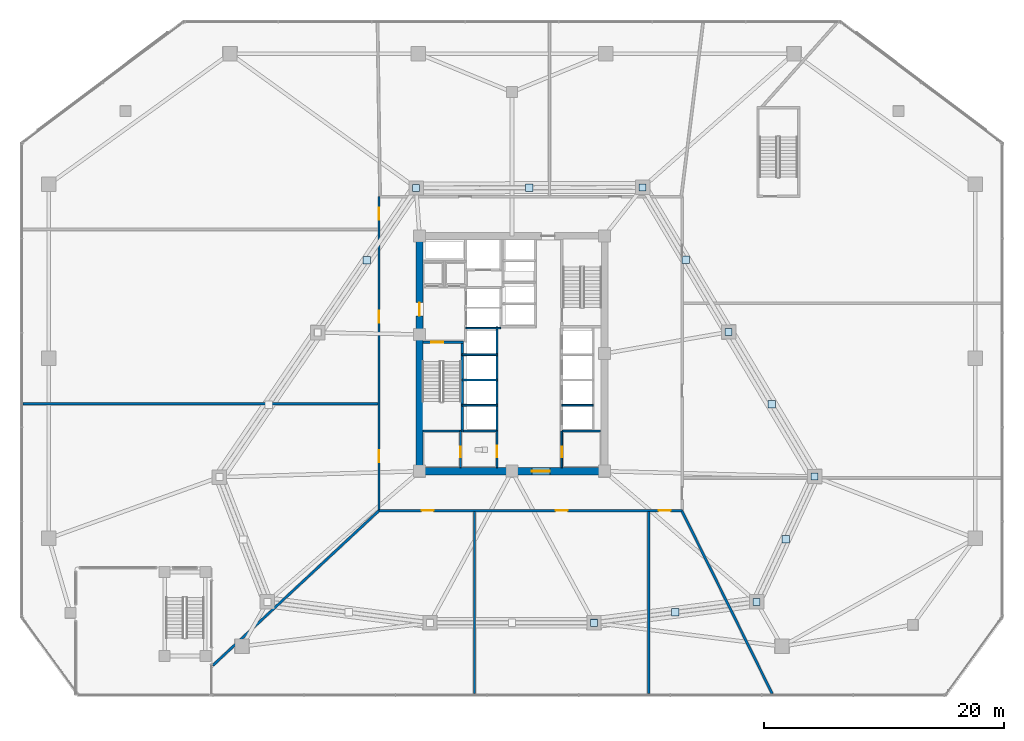
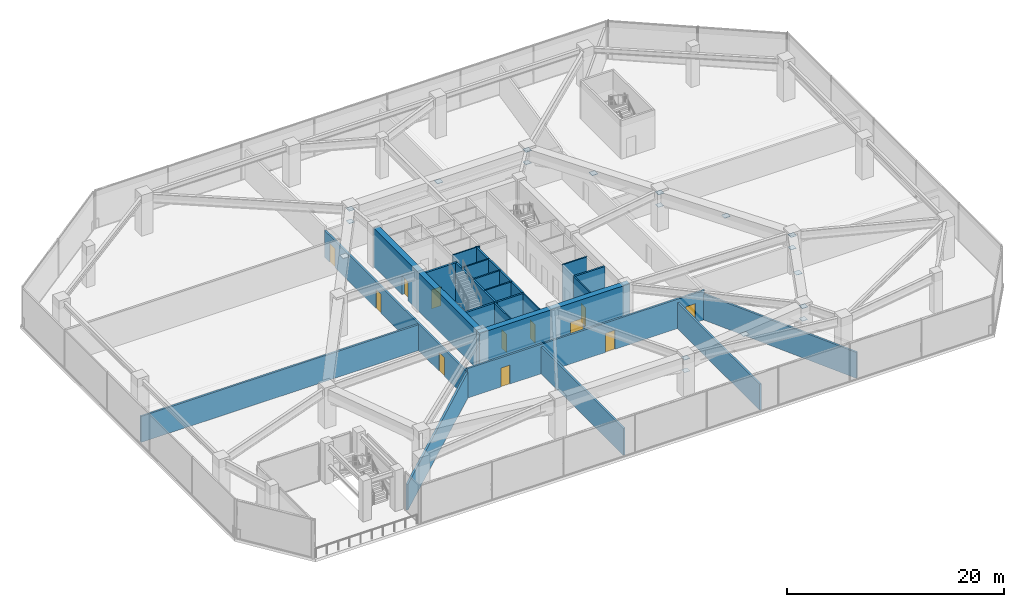
# One storey, part 14 of 23: 23 walls, 18 plates, 12 doors, 12 openings.
"""IFC4 building model written with IfcOpenShell, lengths in metres."""

from ifc_helpers import new_model, si_unit, direction, frame, frame_2d, origin, origin_2d, place, context, subcontext, project, spatial, rectangle, extrude, material, layer, layer_set, type_object, element, fill, save


model = new_model("IFC4")

# Units and contexts
model_context = context("Model", 3, precision=1e-05, world=origin(), true_north=direction((0.0, 1.0)))
body_context = subcontext(model_context, "Body", "Model", "MODEL_VIEW")
ifc_project = project(units=[si_unit("LENGTHUNIT", "METRE"), si_unit("AREAUNIT", "SQUARE_METRE"), si_unit("VOLUMEUNIT", "CUBIC_METRE"), si_unit("PLANEANGLEUNIT", "RADIAN"), si_unit("MASSUNIT", "GRAM", prefix="KILO")], contexts=[model_context])

# Site, building, storey
site_placement = place(None, origin())
site = spatial("IfcSite", under=ifc_project, at=site_placement, CompositionType="ELEMENT")
building_placement = place(site_placement, origin())
building = spatial("IfcBuilding", under=site, at=building_placement, Name="Savorim Split Tower", CompositionType="ELEMENT")
storey_placement = place(building_placement, frame((0.0, 0.0, 21.800048828125)))
storey = spatial("IfcBuildingStorey", under=building, at=storey_placement, Name="L05", CompositionType="ELEMENT", Elevation=21.800048828125)

# Plates
ifc_material_1 = material(Name="Steel S460", Category="steel")
ifc_layer_1 = layer(ifc_material_1, 0.028076171875)
ifc_layer_set_1 = layer_set([ifc_layer_1], Name="PLT-NODE-BN1")
plate_type_1 = type_object("IfcPlateType", Name="PLT-NODE-BN1", PredefinedType="SHEET", material=ifc_layer_set_1)
plate_1_placement = place(storey_placement, frame((6.831787109375, -22.03173828125, 2.4638671875), z_axis=(0.0, 0.0, 1.0), x_axis=(1.0, 0.0, 0.0)))
element("IfcPlate", 1, at=plate_1_placement, inside=storey, type_object=plate_type_1, Name="L05 Belt Truss Base Gusset Plate 3", PredefinedType="SHEET", context=body_context, shape_type="SweptSolid", body=[
    extrude(rectangle(XDim=0.580078125, YDim=0.580078125, at=origin_2d()), origin(), (0.0, 0.0, 1.0), 0.031982421875),
])
plate_2_placement = place(storey_placement, frame((13.60791015625, -21.161865234375, 3.65234375), z_axis=(0.0, 0.0, 1.0), x_axis=(1.0, 0.0, 0.0)))
element("IfcPlate", 2, at=plate_2_placement, inside=storey, type_object=plate_type_1, Name="L05 Belt Truss Apex Gusset Plate 3", PredefinedType="SHEET", context=body_context, shape_type="SweptSolid", body=[
    extrude(rectangle(XDim=0.6201171875, YDim=0.6201171875, at=origin_2d()), origin(), (0.0, 0.0, 1.0), 0.034912109375),
])
plate_3_placement = place(storey_placement, frame((20.384033203125, -20.291748046875, 2.4638671875), z_axis=(0.0, 0.0, 1.0), x_axis=(1.0, 0.0, 0.0)))
element("IfcPlate", 3, at=plate_3_placement, inside=storey, type_object=plate_type_1, Name="L05 Belt Truss Base Gusset Plate 4", PredefinedType="SHEET", context=body_context, shape_type="SweptSolid", body=[
    extrude(rectangle(XDim=0.580078125, YDim=0.580078125, at=origin_2d()), origin(), (0.0, 0.0, 1.0), 0.031982421875),
])
plate_4_placement = place(storey_placement, frame((22.798828125, -15.068603515625, 3.65234375), z_axis=(0.0, 0.0, 1.0), x_axis=(1.0, 0.0, 0.0)))
element("IfcPlate", 4, at=plate_4_placement, inside=storey, type_object=plate_type_1, Name="L05 Belt Truss Apex Gusset Plate 4", PredefinedType="SHEET", context=body_context, shape_type="SweptSolid", body=[
    extrude(rectangle(XDim=0.6201171875, YDim=0.6201171875, at=origin_2d()), origin(), (0.0, 0.0, 1.0), 0.034912109375),
])
plate_5_placement = place(storey_placement, frame((25.21337890625, -9.845458984375, 2.4638671875), z_axis=(0.0, 0.0, 1.0), x_axis=(1.0, 0.0, 0.0)))
element("IfcPlate", 5, at=plate_5_placement, inside=storey, type_object=plate_type_1, Name="L05 Belt Truss Base Gusset Plate 5", PredefinedType="SHEET", context=body_context, shape_type="SweptSolid", body=[
    extrude(rectangle(XDim=0.580078125, YDim=0.580078125, at=origin_2d()), origin(), (0.0, 0.0, 1.0), 0.031982421875),
])
plate_6_placement = place(storey_placement, frame((21.631591796875, -3.821533203125, 3.65234375), z_axis=(0.0, 0.0, 1.0), x_axis=(1.0, 0.0, 0.0)))
element("IfcPlate", 6, at=plate_6_placement, inside=storey, type_object=plate_type_1, Name="L05 Belt Truss Apex Gusset Plate 5", PredefinedType="SHEET", context=body_context, shape_type="SweptSolid", body=[
    extrude(rectangle(XDim=0.6201171875, YDim=0.6201171875, at=origin_2d()), origin(), (0.0, 0.0, 1.0), 0.034912109375),
])
plate_7_placement = place(storey_placement, frame((18.049560546875, 2.202392578125, 2.4638671875), z_axis=(0.0, 0.0, 1.0), x_axis=(1.0, 0.0, 0.0)))
element("IfcPlate", 7, at=plate_7_placement, inside=storey, type_object=plate_type_1, Name="L05 Belt Truss Base Gusset Plate 6", PredefinedType="SHEET", context=body_context, shape_type="SweptSolid", body=[
    extrude(rectangle(XDim=0.580078125, YDim=0.580078125, at=origin_2d()), origin(), (0.0, 0.0, 1.0), 0.031982421875),
])
plate_8_placement = place(storey_placement, frame((14.467529296875, 8.2265625, 3.65234375), z_axis=(0.0, 0.0, 1.0), x_axis=(1.0, 0.0, 0.0)))
element("IfcPlate", 8, at=plate_8_placement, inside=storey, type_object=plate_type_1, Name="L05 Belt Truss Apex Gusset Plate 6", PredefinedType="SHEET", context=body_context, shape_type="SweptSolid", body=[
    extrude(rectangle(XDim=0.6201171875, YDim=0.6201171875, at=origin_2d()), origin(), (0.0, 0.0, 1.0), 0.034912109375),
])
plate_9_placement = place(storey_placement, frame((10.885498046875, 14.25048828125, 2.4638671875), z_axis=(0.0, 0.0, 1.0), x_axis=(1.0, 0.0, 0.0)))
element("IfcPlate", 9, at=plate_9_placement, inside=storey, type_object=plate_type_1, Name="L05 Belt Truss Base Gusset Plate 7", PredefinedType="SHEET", context=body_context, shape_type="SweptSolid", body=[
    extrude(rectangle(XDim=0.580078125, YDim=0.580078125, at=origin_2d()), origin(), (0.0, 0.0, 1.0), 0.031982421875),
])
plate_10_placement = place(storey_placement, frame((1.446533203125, 14.22607421875, 3.65234375), z_axis=(0.0, 0.0, 1.0), x_axis=(1.0, 0.0, 0.0)))
element("IfcPlate", 10, at=plate_10_placement, inside=storey, type_object=plate_type_1, Name="L05 Belt Truss Apex Gusset Plate 7", PredefinedType="SHEET", context=body_context, shape_type="SweptSolid", body=[
    extrude(rectangle(XDim=0.6201171875, YDim=0.6201171875, at=origin_2d()), origin(), (0.0, 0.0, 1.0), 0.034912109375),
])
plate_11_placement = place(storey_placement, frame((-7.992431640625, 14.20166015625, 2.4638671875), z_axis=(0.0, 0.0, 1.0), x_axis=(1.0, 0.0, 0.0)))
element("IfcPlate", 11, at=plate_11_placement, inside=storey, type_object=plate_type_1, Name="L05 Belt Truss Base Gusset Plate 8", PredefinedType="SHEET", context=body_context, shape_type="SweptSolid", body=[
    extrude(rectangle(XDim=0.580078125, YDim=0.580078125, at=origin_2d()), origin(), (0.0, 0.0, 1.0), 0.031982421875),
])
plate_12_placement = place(storey_placement, frame((-12.090576171875, 8.177734375, 3.65234375), z_axis=(0.0, 0.0, 1.0), x_axis=(1.0, 0.0, 0.0)))
element("IfcPlate", 12, at=plate_12_placement, inside=storey, type_object=plate_type_1, Name="L05 Belt Truss Apex Gusset Plate 8", PredefinedType="SHEET", context=body_context, shape_type="SweptSolid", body=[
    extrude(rectangle(XDim=0.6201171875, YDim=0.6201171875, at=origin_2d()), origin(), (0.0, 0.0, 1.0), 0.034912109375),
])
ifc_layer_2 = layer(ifc_material_1, 0.034912109375)
ifc_layer_set_2 = layer_set([ifc_layer_2], Name="PLT-NODE-KN1")
plate_type_2 = type_object("IfcPlateType", Name="PLT-NODE-KN1", PredefinedType="SHEET", material=ifc_layer_set_2)
for number, where, z_axis, x_axis, name in (
    (13, (6.831787109375, -22.03173828125, 3.88232421875), (0.0, 0.0, 1.0), (1.0, 0.0, 0.0), "L05 Transfer Node Plate KN1-03"),
    (14, (20.384033203125, -20.291748046875, 3.88232421875), (0.0, 0.0, 1.0), (1.0, 0.0, 0.0), "L05 Transfer Node Plate KN1-04"),
    (15, (25.21337890625, -9.845458984375, 3.88232421875), (0.0, 0.0, 1.0), (1.0, 0.0, 0.0), "L05 Transfer Node Plate KN1-05"),
    (16, (18.049560546875, 2.202392578125, 3.88232421875), (0.0, 0.0, 1.0), (1.0, 0.0, 0.0), "L05 Transfer Node Plate KN1-06"),
    (17, (10.885498046875, 14.25048828125, 3.88232421875), (0.0, 0.0, 1.0), (1.0, 0.0, 0.0), "L05 Transfer Node Plate KN1-07"),
    (18, (-7.992431640625, 14.20166015625, 3.88232421875), (0.0, 0.0, 1.0), (1.0, 0.0, 0.0), "L05 Transfer Node Plate KN1-08"),
):
    element("IfcPlate", number, at=place(storey_placement, frame(where, z_axis=z_axis, x_axis=x_axis)), inside=storey, type_object=plate_type_2, Name=name, PredefinedType="SHEET", context=body_context, shape_type="SweptSolid", body=[
        extrude(rectangle(XDim=0.60009765625, YDim=0.60009765625, at=origin_2d()), origin(), (0.0, 0.0, 1.0), 0.034912109375),
    ])

# Wall, opening, door
ifc_material_2 = material(Name="Concrete C60/75", Category="concrete")
ifc_layer_3 = layer(ifc_material_2, 0.60009765625)
ifc_layer_set_3 = layer_set([ifc_layer_3], Name="WAL-COR-SH600")
wall_type_1 = type_object("IfcWallType", Name="WAL-COR-SH600", PredefinedType="SHEAR", material=ifc_layer_set_3)
wall_1_placement = place(storey_placement, frame((-8.0, -9.39990234375, 0.0), z_axis=(0.0, 0.0, 1.0), x_axis=(1.0, 0.0, 0.0)))
wall_1 = element("IfcWall", 19, at=wall_1_placement, inside=storey, type_object=wall_type_1, Name="L05 Offset Core South Shear Wall", PredefinedType="SHEAR", context=body_context, shape_type="SweptSolid", body=[
    extrude(rectangle(XDim=16.0, YDim=0.60009765625, at=frame_2d((8.0, 0.0))), origin(), (0.0, 0.0, 1.0), 4.349853515625),
])
opening_1_placement = place(wall_1_placement, frame((9.64990234375, 0.0, 0.0)))
opening_1 = element("IfcOpeningElement", 20, at=opening_1_placement, cuts=wall_1, Name="Opening DI-02", PredefinedType="OPENING", context=body_context, shape_type="SweptSolid", body=[
    extrude(rectangle(XDim=1.5, YDim=2.199951171875, at=frame_2d((0.75, 1.10009765625))), frame((0.0, 0.31005859375, 0.0), z_axis=(0.0, -1.0, 0.0), x_axis=(1.0, 0.0, 0.0)), (0.0, 0.0, 1.0), 0.6201171875),
])
ifc_material_3 = material(Name="Timber Fire Door Leaf", Category="wood")
door_type_1 = type_object("IfcDoorType", Name="DOR-DBL-1500", OperationType="NOTDEFINED", PredefinedType="DOOR", material=ifc_material_3)
door_1_placement = place(opening_1_placement, origin())
door_1 = element("IfcDoor", 21, at=door_1_placement, inside=storey, type_object=door_type_1, Name="DOR-L05-COR-LLOB - L05 Lift Lobby Main Rated Door", OperationType="DOUBLE_DOOR_SINGLE_SWING", OverallHeight=2.199951171875, OverallWidth=1.5, PredefinedType="DOOR", context=body_context, shape_type="SweptSolid", body=[
    extrude(rectangle(XDim=1.5, YDim=2.199951171875, at=frame_2d((0.75, 1.10009765625))), frame((0.0, 0.02490234375, 0.0), z_axis=(0.0, -1.0, 0.0), x_axis=(1.0, 0.0, 0.0)), (0.0, 0.0, 1.0), 0.050048828125),
])
fill(opening_1, door_1)

wall_2_placement = place(storey_placement, frame((-7.699951171875, -9.10009765625, 0.0), z_axis=(0.0, 0.0, 1.0), x_axis=(0.0, 1.0, 0.0)))
wall_2 = element("IfcWall", 22, at=wall_2_placement, inside=storey, type_object=wall_type_1, Name="L05 Offset Core West Shear Wall", PredefinedType="SHEAR", context=body_context, shape_type="SweptSolid", body=[
    extrude(rectangle(XDim=19.0, YDim=0.60009765625, at=frame_2d((9.5, 0.0))), origin(), (0.0, 0.0, 1.0), 4.349853515625),
])
opening_2_placement = place(wall_2_placement, frame((12.64990234375, 0.0, 0.0)))
opening_2 = element("IfcOpeningElement", 23, at=opening_2_placement, cuts=wall_2, Name="Opening DI-03", PredefinedType="OPENING", context=body_context, shape_type="SweptSolid", body=[
    extrude(rectangle(XDim=1.10009765625, YDim=2.14990234375, at=frame_2d((0.550048828125, 1.074951171875))), frame((0.0, 0.31005859375, 0.0), z_axis=(0.0, -1.0, 0.0), x_axis=(1.0, 0.0, 0.0)), (0.0, 0.0, 1.0), 0.6201171875),
])
door_type_2 = type_object("IfcDoorType", Name="DOR-FIR-1100", OperationType="NOTDEFINED", PredefinedType="DOOR", material=ifc_material_3)
door_2_placement = place(opening_2_placement, origin())
door_2 = element("IfcDoor", 24, at=door_2_placement, inside=storey, type_object=door_type_2, Name="DOR-L05-COR-FFLOB - L05 Firefighting Lobby Corridor Door", OperationType="SINGLE_SWING_LEFT", OverallHeight=2.14990234375, OverallWidth=1.10009765625, PredefinedType="DOOR", context=body_context, shape_type="SweptSolid", body=[
    extrude(rectangle(XDim=1.10009765625, YDim=2.14990234375, at=frame_2d((0.550048828125, 1.074951171875))), frame((0.0, 0.02490234375, 0.0), z_axis=(0.0, -1.0, 0.0), x_axis=(1.0, 0.0, 0.0)), (0.0, 0.0, 1.0), 0.050048828125),
])
fill(opening_2, door_2)

ifc_material_4 = material(Name="Concrete C50/60", Category="concrete")
ifc_layer_4 = layer(ifc_material_4, 0.199951171875)
ifc_layer_set_4 = layer_set([ifc_layer_4], Name="WAL-INT-RC200")
wall_type_2 = type_object("IfcWallType", Name="WAL-INT-RC200", PredefinedType="SOLIDWALL", material=ifc_layer_set_4)
wall_3_placement = place(storey_placement, frame((-7.39990234375, 1.35009765625, 0.0), z_axis=(0.0, 0.0, 1.0), x_axis=(1.0, 0.0, 0.0)))
wall_3 = element("IfcWall", 25, at=wall_3_placement, inside=storey, type_object=wall_type_2, Name="L05 Structural Shaft Wall W-L05-CR01", PredefinedType="SOLIDWALL", context=body_context, shape_type="SweptSolid", body=[
    extrude(rectangle(XDim=3.349853515625, YDim=0.199951171875, at=frame_2d((1.6748046875, 0.0))), origin(), (0.0, 0.0, 1.0), 4.349853515625),
])
opening_3_placement = place(wall_3_placement, frame((0.64990234375, 0.0, 0.0)))
opening_3 = element("IfcOpeningElement", 26, at=opening_3_placement, cuts=wall_3, Name="Opening DI-04", PredefinedType="OPENING", context=body_context, shape_type="SweptSolid", body=[
    extrude(rectangle(XDim=1.0, YDim=2.14990234375, at=frame_2d((0.5, 1.074951171875))), frame((0.0, 0.10986328125, 0.0), z_axis=(0.0, -1.0, 0.0), x_axis=(1.0, 0.0, 0.0)), (0.0, 0.0, 1.0), 0.219970703125),
])
door_type_3 = type_object("IfcDoorType", Name="DOR-FIR-1000", OperationType="NOTDEFINED", PredefinedType="DOOR", material=ifc_material_3)
door_3_placement = place(opening_3_placement, origin())
door_3 = element("IfcDoor", 27, at=door_3_placement, inside=storey, type_object=door_type_3, Name="DR-L05-ST1 - L05 Stair ST-1 Enclosure Door", OperationType="SINGLE_SWING_LEFT", OverallHeight=2.14990234375, OverallWidth=1.0, PredefinedType="DOOR", context=body_context, shape_type="SweptSolid", body=[
    extrude(rectangle(XDim=1.0, YDim=2.14990234375, at=frame_2d((0.5, 1.074951171875))), frame((0.0, 0.02490234375, 0.0), z_axis=(0.0, -1.0, 0.0), x_axis=(1.0, 0.0, 0.0)), (0.0, 0.0, 1.0), 0.050048828125),
])
fill(opening_3, door_3)

# Walls
wall_4_placement = place(storey_placement, frame((-4.14990234375, -5.949951171875, 0.0), z_axis=(0.0, 0.0, 1.0), x_axis=(0.0, 1.0, 0.0)))
element("IfcWall", 28, at=wall_4_placement, inside=storey, type_object=wall_type_2, Name="L05 Structural Shaft Wall W-L05-CR02", PredefinedType="SOLIDWALL", context=body_context, shape_type="SweptSolid", body=[
    extrude(rectangle(XDim=7.199951171875, YDim=0.199951171875, at=frame_2d((3.60009765625, 0.0))), origin(), (0.0, 0.0, 1.0), 4.349853515625),
])
wall_5_placement = place(storey_placement, frame((-1.25, -6.050048828125, 0.0), z_axis=(0.0, 0.0, 1.0), x_axis=(0.0, 1.0, 0.0)))
element("IfcWall", 29, at=wall_5_placement, inside=storey, type_object=wall_type_2, Name="L05 Partition W-L05-B2FRONT", PredefinedType="SOLIDWALL", context=body_context, shape_type="SweptSolid", body=[
    extrude(rectangle(XDim=8.699951171875, YDim=0.199951171875, at=frame_2d((4.35009765625, 0.0))), origin(), (0.0, 0.0, 1.0), 4.349853515625),
])
wall_6_placement = place(storey_placement, frame((-7.39990234375, -6.050048828125, 0.0), z_axis=(0.0, 0.0, 1.0), x_axis=(1.0, 0.0, 0.0)))
element("IfcWall", 30, at=wall_6_placement, inside=storey, type_object=wall_type_2, Name="L05 Structural Shaft Wall W-L05-KSEP-W", PredefinedType="SOLIDWALL", context=body_context, shape_type="SweptSolid", body=[
    extrude(rectangle(XDim=3.349853515625, YDim=0.199951171875, at=frame_2d((1.6748046875, 0.0))), origin(), (0.0, 0.0, 1.0), 4.349853515625),
])
wall_7_placement = place(storey_placement, frame((-4.0400390625, -6.050048828125, 0.0), z_axis=(0.0, 0.0, 1.0), x_axis=(1.0, 0.0, 0.0)))
element("IfcWall", 31, at=wall_7_placement, inside=storey, type_object=wall_type_2, Name="L05 Partition W-L05-KSEP-W2", PredefinedType="SOLIDWALL", context=body_context, shape_type="SweptSolid", body=[
    extrude(rectangle(XDim=2.7900390625, YDim=0.199951171875, at=frame_2d((1.39501953125, 0.0))), origin(), (0.0, 0.0, 1.0), 4.349853515625),
])
wall_8_placement = place(storey_placement, frame((4.14990234375, -6.050048828125, 0.0), z_axis=(0.0, 0.0, 1.0), x_axis=(1.0, 0.0, 0.0)))
element("IfcWall", 32, at=wall_8_placement, inside=storey, type_object=wall_type_2, Name="L05 Partition W-L05-KSEP-E", PredefinedType="SOLIDWALL", context=body_context, shape_type="SweptSolid", body=[
    extrude(rectangle(XDim=3.2451171875, YDim=0.199951171875, at=frame_2d((1.62255859375, 0.0))), origin(), (0.0, 0.0, 1.0), 4.349853515625),
])

# Wall, openings, doors
wall_9_placement = place(storey_placement, frame((-11.10009765625, -12.679931640625, 0.0), z_axis=(0.0, 0.0, 1.0), x_axis=(1.0, 0.0, 0.0)))
wall_9 = element("IfcWall", 33, at=wall_9_placement, inside=storey, type_object=wall_type_2, Name="L05 Partition W-L05-COR-S1", PredefinedType="SOLIDWALL", context=body_context, shape_type="SweptSolid", body=[
    extrude(rectangle(XDim=25.300048828125, YDim=0.199951171875, at=frame_2d((12.64990234375, 0.0))), origin(), (0.0, 0.0, 1.0), 3.31689453125),
])
opening_4_placement = place(wall_9_placement, frame((3.56298828125, 0.0, 0.0)))
opening_4 = element("IfcOpeningElement", 34, at=opening_4_placement, cuts=wall_9, Name="Opening DI-04", PredefinedType="OPENING", context=body_context, shape_type="SweptSolid", body=[
    extrude(rectangle(XDim=1.0, YDim=2.14990234375, at=frame_2d((0.5, 1.074951171875))), frame((0.0, 0.10986328125, 0.0), z_axis=(0.0, -1.0, 0.0), x_axis=(1.0, 0.0, 0.0)), (0.0, 0.0, 1.0), 0.219970703125),
])
opening_5_placement = place(wall_9_placement, frame((14.729248046875, 0.0, 0.0)))
opening_5 = element("IfcOpeningElement", 35, at=opening_5_placement, cuts=wall_9, Name="Opening DI-04", PredefinedType="OPENING", context=body_context, shape_type="SweptSolid", body=[
    extrude(rectangle(XDim=1.0, YDim=2.14990234375, at=frame_2d((0.5, 1.074951171875))), frame((0.0, 0.10986328125, 0.0), z_axis=(0.0, -1.0, 0.0), x_axis=(1.0, 0.0, 0.0)), (0.0, 0.0, 1.0), 0.219970703125),
])
opening_6_placement = place(wall_9_placement, frame((23.31640625, 0.0, 0.0)))
opening_6 = element("IfcOpeningElement", 36, at=opening_6_placement, cuts=wall_9, Name="Opening DI-04", PredefinedType="OPENING", context=body_context, shape_type="SweptSolid", body=[
    extrude(rectangle(XDim=1.0, YDim=2.14990234375, at=frame_2d((0.5, 1.074951171875))), frame((0.0, 0.10986328125, 0.0), z_axis=(0.0, -1.0, 0.0), x_axis=(1.0, 0.0, 0.0)), (0.0, 0.0, 1.0), 0.219970703125),
])
door_4_placement = place(opening_4_placement, origin())
door_4 = element("IfcDoor", 37, at=door_4_placement, inside=storey, type_object=door_type_3, Name="DR-L05-RM02 - L05 Chiller Plant Room 1 Entry Door", OperationType="SINGLE_SWING_LEFT", OverallHeight=2.14990234375, OverallWidth=1.0, PredefinedType="DOOR", context=body_context, shape_type="SweptSolid", body=[
    extrude(rectangle(XDim=1.0, YDim=2.14990234375, at=frame_2d((0.5, 1.074951171875))), frame((0.0, 0.02490234375, 0.0), z_axis=(0.0, -1.0, 0.0), x_axis=(1.0, 0.0, 0.0)), (0.0, 0.0, 1.0), 0.050048828125),
])
fill(opening_4, door_4)
door_5_placement = place(opening_5_placement, origin())
door_5 = element("IfcDoor", 38, at=door_5_placement, inside=storey, type_object=door_type_3, Name="DR-L05-RM03 - L05 Booster Pump Plant Room 1 Entry Door", OperationType="SINGLE_SWING_RIGHT", OverallHeight=2.14990234375, OverallWidth=1.0, PredefinedType="DOOR", context=body_context, shape_type="SweptSolid", body=[
    extrude(rectangle(XDim=1.0, YDim=2.14990234375, at=frame_2d((0.5, 1.074951171875))), frame((0.0, 0.02490234375, 0.0), z_axis=(0.0, -1.0, 0.0), x_axis=(1.0, 0.0, 0.0)), (0.0, 0.0, 1.0), 0.050048828125),
])
fill(opening_5, door_5)
door_6_placement = place(opening_6_placement, origin())
door_6 = element("IfcDoor", 39, at=door_6_placement, inside=storey, type_object=door_type_3, Name="DR-L05-RM04 - L05 Heat Exchanger Plant Room Entry Door", OperationType="SINGLE_SWING_LEFT", OverallHeight=2.14990234375, OverallWidth=1.0, PredefinedType="DOOR", context=body_context, shape_type="SweptSolid", body=[
    extrude(rectangle(XDim=1.0, YDim=2.14990234375, at=frame_2d((0.5, 1.074951171875))), frame((0.0, 0.02490234375, 0.0), z_axis=(0.0, -1.0, 0.0), x_axis=(1.0, 0.0, 0.0)), (0.0, 0.0, 1.0), 0.050048828125),
])
fill(opening_6, door_6)

wall_10_placement = place(storey_placement, frame((-11.080078125, -12.679931640625, 0.0), z_axis=(0.0, 0.0, 1.0), x_axis=(0.0, 1.0, 0.0)))
wall_10 = element("IfcWall", 40, at=wall_10_placement, inside=storey, type_object=wall_type_2, Name="L05 Partition W-L05-COR-W1", PredefinedType="SOLIDWALL", context=body_context, shape_type="SweptSolid", body=[
    extrude(rectangle(XDim=26.159912109375, YDim=0.199951171875, at=frame_2d((13.080078125, 0.0))), origin(), (0.0, 0.0, 1.0), 3.02490234375),
])
opening_7_placement = place(wall_10_placement, frame((4.020263671875, 0.0, 0.0)))
opening_7 = element("IfcOpeningElement", 41, at=opening_7_placement, cuts=wall_10, Name="Opening DI-04", PredefinedType="OPENING", context=body_context, shape_type="SweptSolid", body=[
    extrude(rectangle(XDim=1.0, YDim=2.14990234375, at=frame_2d((0.5, 1.074951171875))), frame((0.0, 0.10986328125, 0.0), z_axis=(0.0, -1.0, 0.0), x_axis=(1.0, 0.0, 0.0)), (0.0, 0.0, 1.0), 0.219970703125),
])
opening_8_placement = place(wall_10_placement, frame((24.2197265625, 0.0, 0.0)))
opening_8 = element("IfcOpeningElement", 42, at=opening_8_placement, cuts=wall_10, Name="Opening DI-04", PredefinedType="OPENING", context=body_context, shape_type="SweptSolid", body=[
    extrude(rectangle(XDim=1.0, YDim=2.14990234375, at=frame_2d((0.5, 1.074951171875))), frame((0.0, 0.10986328125, 0.0), z_axis=(0.0, -1.0, 0.0), x_axis=(1.0, 0.0, 0.0)), (0.0, 0.0, 1.0), 0.219970703125),
])
opening_9_placement = place(wall_10_placement, frame((15.659912109375, 0.0, 0.0)))
opening_9 = element("IfcOpeningElement", 43, at=opening_9_placement, cuts=wall_10, Name="Opening DI-04", PredefinedType="OPENING", context=body_context, shape_type="SweptSolid", body=[
    extrude(rectangle(XDim=1.0, YDim=2.14990234375, at=frame_2d((0.5, 1.074951171875))), frame((0.0, 0.10986328125, 0.0), z_axis=(0.0, -1.0, 0.0), x_axis=(1.0, 0.0, 0.0)), (0.0, 0.0, 1.0), 0.219970703125),
])
door_7_placement = place(opening_7_placement, origin())
door_7 = element("IfcDoor", 44, at=door_7_placement, inside=storey, type_object=door_type_3, Name="DR-L05-RM01 - L05 AHU Mechanical Plant Room 1 Entry Door", OperationType="SINGLE_SWING_RIGHT", OverallHeight=2.14990234375, OverallWidth=1.0, PredefinedType="DOOR", context=body_context, shape_type="SweptSolid", body=[
    extrude(rectangle(XDim=1.0, YDim=2.14990234375, at=frame_2d((0.5, 1.074951171875))), frame((0.0, 0.02490234375, 0.0), z_axis=(0.0, -1.0, 0.0), x_axis=(1.0, 0.0, 0.0)), (0.0, 0.0, 1.0), 0.050048828125),
])
fill(opening_7, door_7)
door_8_placement = place(opening_8_placement, origin())
door_8 = element("IfcDoor", 45, at=door_8_placement, inside=storey, type_object=door_type_3, Name="DR-L05-RM10 - L05 BMS Mechanical Plant Room Entry Door", OperationType="SINGLE_SWING_LEFT", OverallHeight=2.14990234375, OverallWidth=1.0, PredefinedType="DOOR", context=body_context, shape_type="SweptSolid", body=[
    extrude(rectangle(XDim=1.0, YDim=2.14990234375, at=frame_2d((0.5, 1.074951171875))), frame((0.0, 0.02490234375, 0.0), z_axis=(0.0, -1.0, 0.0), x_axis=(1.0, 0.0, 0.0)), (0.0, 0.0, 1.0), 0.050048828125),
])
fill(opening_8, door_8)
door_9_placement = place(opening_9_placement, origin())
door_9 = element("IfcDoor", 46, at=door_9_placement, inside=storey, type_object=door_type_3, Name="DR-L05-RM11 - L05 Smoke Extract Fan Plant Room Entry Door", OperationType="SINGLE_SWING_RIGHT", OverallHeight=2.14990234375, OverallWidth=1.0, PredefinedType="DOOR", context=body_context, shape_type="SweptSolid", body=[
    extrude(rectangle(XDim=1.0, YDim=2.14990234375, at=frame_2d((0.5, 1.074951171875))), frame((0.0, 0.02490234375, 0.0), z_axis=(0.0, -1.0, 0.0), x_axis=(1.0, 0.0, 0.0)), (0.0, 0.0, 1.0), 0.050048828125),
])
fill(opening_9, door_9)

# Walls
wall_11_placement = place(storey_placement, frame((-11.139892578125, -3.79296875, 0.0), z_axis=(0.0, 0.0, 1.0), x_axis=(-1.0, 0.0, 0.0)))
element("IfcWall", 47, at=wall_11_placement, inside=storey, type_object=wall_type_2, Name="L05 Partition W-L05-PLW01", PredefinedType="SOLIDWALL", context=body_context, shape_type="SweptSolid", body=[
    extrude(rectangle(XDim=29.590087890625, YDim=0.199951171875, at=frame_2d((14.794921875, 0.0))), origin(), (0.0, 0.0, 1.0), 2.925048828125),
])
wall_12_placement = place(storey_placement, frame((-11.098876953125, -12.69873046875, 0.0), z_axis=(0.0, 0.0, 1.0), x_axis=(-0.731636066653, -0.681695434906, 0.0)))
element("IfcWall", 48, at=wall_12_placement, inside=storey, type_object=wall_type_2, Name="L05 Partition W-L05-PLW03", PredefinedType="SOLIDWALL", context=body_context, shape_type="SweptSolid", body=[
    extrude(rectangle(XDim=18.904296875, YDim=0.199951171875, at=frame_2d((9.4521484375, 0.0))), origin(), (0.0, 0.0, 1.0), 2.925048828125),
])
wall_13_placement = place(storey_placement, frame((-3.12744140625, -12.739990234375, 0.0), z_axis=(0.0, 0.0, 1.0), x_axis=(0.0, -1.0, 0.0)))
element("IfcWall", 49, at=wall_13_placement, inside=storey, type_object=wall_type_2, Name="L05 Partition W-L05-PLW05", PredefinedType="SOLIDWALL", context=body_context, shape_type="SweptSolid", body=[
    extrude(rectangle(XDim=15.18994140625, YDim=0.199951171875, at=frame_2d((7.594970703125, 0.0))), origin(), (0.0, 0.0, 1.0), 3.02490234375),
])
wall_14_placement = place(storey_placement, frame((11.385986328125, -12.739990234375, 0.0), z_axis=(0.0, 0.0, 1.0), x_axis=(0.0, -1.0, 0.0)))
element("IfcWall", 50, at=wall_14_placement, inside=storey, type_object=wall_type_2, Name="L05 Partition W-L05-PLW06", PredefinedType="SOLIDWALL", context=body_context, shape_type="SweptSolid", body=[
    extrude(rectangle(XDim=15.18994140625, YDim=0.199951171875, at=frame_2d((7.594970703125, 0.0))), origin(), (0.0, 0.0, 1.0), 2.925048828125),
])
wall_15_placement = place(storey_placement, frame((14.166015625, -12.72314453125, 0.0), z_axis=(0.0, 0.0, 1.0), x_axis=(0.442919028599, -0.896561617573, 0.0)))
element("IfcWall", 51, at=wall_15_placement, inside=storey, type_object=wall_type_2, Name="L05 Partition W-L05-PLW07", PredefinedType="SOLIDWALL", context=body_context, shape_type="SweptSolid", body=[
    extrude(rectangle(XDim=16.961181640625, YDim=0.199951171875, at=frame_2d((8.48046875, 0.0))), origin(), (0.0, 0.0, 1.0), 2.925048828125),
])
ifc_material_5 = material(Name="Acoustic Gypsum Partition Board")
ifc_layer_5 = layer(ifc_material_5, 0.1201171875)
ifc_layer_set_5 = layer_set([ifc_layer_5], Name="WAL-PAR-120")
wall_type_3 = type_object("IfcWallType", Name="WAL-PAR-120", PredefinedType="PARTITIONING", material=ifc_layer_set_5)
wall_16_placement = place(storey_placement, frame((-3.85009765625, 2.52001953125, 0.0), z_axis=(0.0, 0.0, 1.0), x_axis=(1.0, 0.0, 0.0)))
element("IfcWall", 52, at=wall_16_placement, inside=storey, type_object=wall_type_3, Name="L05 Partition W-L05-FFLD0", PredefinedType="PARTITIONING", context=body_context, shape_type="SweptSolid", body=[
    extrude(rectangle(XDim=2.900146484375, YDim=0.1201171875, at=frame_2d((1.4501953125, 0.0))), origin(), (0.0, 0.0, 1.0), 4.349853515625),
])
ifc_layer_6 = layer(ifc_material_5, 0.14990234375)
ifc_layer_set_6 = layer_set([ifc_layer_6], Name="WAL-PAR-150")
wall_type_4 = type_object("IfcWallType", Name="WAL-PAR-150", PredefinedType="PARTITIONING", material=ifc_layer_set_6)
wall_17_placement = place(storey_placement, frame((4.14990234375, -3.89990234375, 0.0), z_axis=(0.0, 0.0, 1.0), x_axis=(1.0, 0.0, 0.0)))
element("IfcWall", 53, at=wall_17_placement, inside=storey, type_object=wall_type_4, Name="L05 Partition W-L05-B1DIV1", PredefinedType="PARTITIONING", context=body_context, shape_type="SweptSolid", body=[
    extrude(rectangle(XDim=2.60009765625, YDim=0.14990234375, at=frame_2d((1.300048828125, 0.0))), origin(), (0.0, 0.0, 1.0), 4.349853515625),
])
for number, where, z_axis, x_axis, name in (
    (54, (-4.14990234375, -3.89990234375, 0.0), (0.0, 0.0, 1.0), (1.0, 0.0, 0.0), "L05 Partition W-L05-B2DIV1"),
    (55, (-4.14990234375, -1.800048828125, 0.0), (0.0, 0.0, 1.0), (1.0, 0.0, 0.0), "L05 Partition W-L05-B2DIV2"),
    (56, (-4.14990234375, 0.300048828125, 0.0), (0.0, 0.0, 1.0), (1.0, 0.0, 0.0), "L05 Partition W-L05-B2DIV3"),
):
    element("IfcWall", number, at=place(storey_placement, frame(where, z_axis=z_axis, x_axis=x_axis)), inside=storey, type_object=wall_type_4, Name=name, PredefinedType="PARTITIONING", context=body_context, shape_type="SweptSolid", body=[
        extrude(rectangle(XDim=2.89990234375, YDim=0.14990234375, at=frame_2d((1.449951171875, 0.0))), origin(), (0.0, 0.0, 1.0), 4.349853515625),
    ])

# Wall, opening, door
wall_18_placement = place(storey_placement, frame((-1.25, -9.094970703125, 0.0), z_axis=(0.0, 0.0, 1.0), x_axis=(0.0, 1.0, 0.0)))
wall_18 = element("IfcWall", 57, at=wall_18_placement, inside=storey, type_object=wall_type_4, Name="L05 Partition W-L05-KLOB-W", PredefinedType="PARTITIONING", context=body_context, shape_type="SweptSolid", body=[
    extrude(rectangle(XDim=3.044921875, YDim=0.14990234375, at=frame_2d((1.5224609375, 0.0))), origin(), (0.0, 0.0, 1.0), 4.349853515625),
])
opening_10_placement = place(wall_18_placement, frame((0.844970703125, 0.0, 0.0)))
opening_10 = element("IfcOpeningElement", 58, at=opening_10_placement, cuts=wall_18, Name="Opening DI-10", PredefinedType="OPENING", context=body_context, shape_type="SweptSolid", body=[
    extrude(rectangle(XDim=0.949951171875, YDim=2.10009765625, at=frame_2d((0.47509765625, 1.050048828125))), frame((0.0, 0.0849609375, 0.0), z_axis=(0.0, -1.0, 0.0), x_axis=(1.0, 0.0, 0.0)), (0.0, 0.0, 1.0), 0.169921875),
])
ifc_material_6 = material(Name="Oak Veneer Acoustic Door")
door_type_4 = type_object("IfcDoorType", Name="DOR-WC-950", OperationType="NOTDEFINED", PredefinedType="DOOR", material=ifc_material_6)
door_10_placement = place(opening_10_placement, origin())
door_10 = element("IfcDoor", 59, at=door_10_placement, inside=storey, type_object=door_type_4, Name="DR-L05-K1WC - L05 Core Accessible WC Door", OperationType="SINGLE_SWING_LEFT", OverallHeight=2.10009765625, OverallWidth=0.949951171875, PredefinedType="DOOR", context=body_context, shape_type="SweptSolid", body=[
    extrude(rectangle(XDim=0.949951171875, YDim=2.10009765625, at=frame_2d((0.47509765625, 1.050048828125))), frame((0.0, 0.02490234375, 0.0), z_axis=(0.0, -1.0, 0.0), x_axis=(1.0, 0.0, 0.0)), (0.0, 0.0, 1.0), 0.050048828125),
])
fill(opening_10, door_10)

wall_19_placement = place(storey_placement, frame((4.14990234375, -9.094970703125, 0.0), z_axis=(0.0, 0.0, 1.0), x_axis=(0.0, 1.0, 0.0)))
wall_19 = element("IfcWall", 60, at=wall_19_placement, inside=storey, type_object=wall_type_4, Name="L05 Partition W-L05-KLOB-E", PredefinedType="PARTITIONING", context=body_context, shape_type="SweptSolid", body=[
    extrude(rectangle(XDim=3.044921875, YDim=0.14990234375, at=frame_2d((1.5224609375, 0.0))), origin(), (0.0, 0.0, 1.0), 4.349853515625),
])
opening_11_placement = place(wall_19_placement, frame((0.844970703125, 0.0, 0.0)))
opening_11 = element("IfcOpeningElement", 61, at=opening_11_placement, cuts=wall_19, Name="Opening DI-06", PredefinedType="OPENING", context=body_context, shape_type="SweptSolid", body=[
    extrude(rectangle(XDim=0.89990234375, YDim=2.10009765625, at=frame_2d((0.449951171875, 1.050048828125))), frame((0.0, 0.0849609375, 0.0), z_axis=(0.0, -1.0, 0.0), x_axis=(1.0, 0.0, 0.0)), (0.0, 0.0, 1.0), 0.169921875),
])
door_type_5 = type_object("IfcDoorType", Name="DOR-FIR-900", OperationType="NOTDEFINED", PredefinedType="DOOR", material=ifc_material_3)
door_11_placement = place(opening_11_placement, origin())
door_11 = element("IfcDoor", 62, at=door_11_placement, inside=storey, type_object=door_type_5, Name="DR-L05-K1IT - L05 Core IT Room Door", OperationType="SINGLE_SWING_LEFT", OverallHeight=2.10009765625, OverallWidth=0.89990234375, PredefinedType="DOOR", context=body_context, shape_type="SweptSolid", body=[
    extrude(rectangle(XDim=0.89990234375, YDim=2.10009765625, at=frame_2d((0.449951171875, 1.050048828125))), frame((0.0, 0.02490234375, 0.0), z_axis=(0.0, -1.0, 0.0), x_axis=(1.0, 0.0, 0.0)), (0.0, 0.0, 1.0), 0.050048828125),
])
fill(opening_11, door_11)

wall_20_placement = place(storey_placement, frame((-4.300048828125, -9.094970703125, 0.0), z_axis=(0.0, 0.0, 1.0), x_axis=(0.0, 1.0, 0.0)))
wall_20 = element("IfcWall", 63, at=wall_20_placement, inside=storey, type_object=wall_type_4, Name="L05 Partition W-L05-K1W", PredefinedType="PARTITIONING", context=body_context, shape_type="SweptSolid", body=[
    extrude(rectangle(XDim=3.044921875, YDim=0.14990234375, at=frame_2d((1.5224609375, 0.0))), origin(), (0.0, 0.0, 1.0), 4.349853515625),
])
opening_12_placement = place(wall_20_placement, frame((0.844970703125, 0.0, 0.0)))
opening_12 = element("IfcOpeningElement", 64, at=opening_12_placement, cuts=wall_20, Name="Opening DI-06", PredefinedType="OPENING", context=body_context, shape_type="SweptSolid", body=[
    extrude(rectangle(XDim=0.89990234375, YDim=2.10009765625, at=frame_2d((0.449951171875, 1.050048828125))), frame((0.0, 0.0849609375, 0.0), z_axis=(0.0, -1.0, 0.0), x_axis=(1.0, 0.0, 0.0)), (0.0, 0.0, 1.0), 0.169921875),
])
door_12_placement = place(opening_12_placement, origin())
door_12 = element("IfcDoor", 65, at=door_12_placement, inside=storey, type_object=door_type_5, Name="DR-L05-K1HK - L05 Housekeeping Store Door", OperationType="SINGLE_SWING_RIGHT", OverallHeight=2.10009765625, OverallWidth=0.89990234375, PredefinedType="DOOR", context=body_context, shape_type="SweptSolid", body=[
    extrude(rectangle(XDim=0.89990234375, YDim=2.10009765625, at=frame_2d((0.449951171875, 1.050048828125))), frame((0.0, 0.02490234375, 0.0), z_axis=(0.0, -1.0, 0.0), x_axis=(1.0, 0.0, 0.0)), (0.0, 0.0, 1.0), 0.050048828125),
])
fill(opening_12, door_12)

save(model, "model.ifc")
